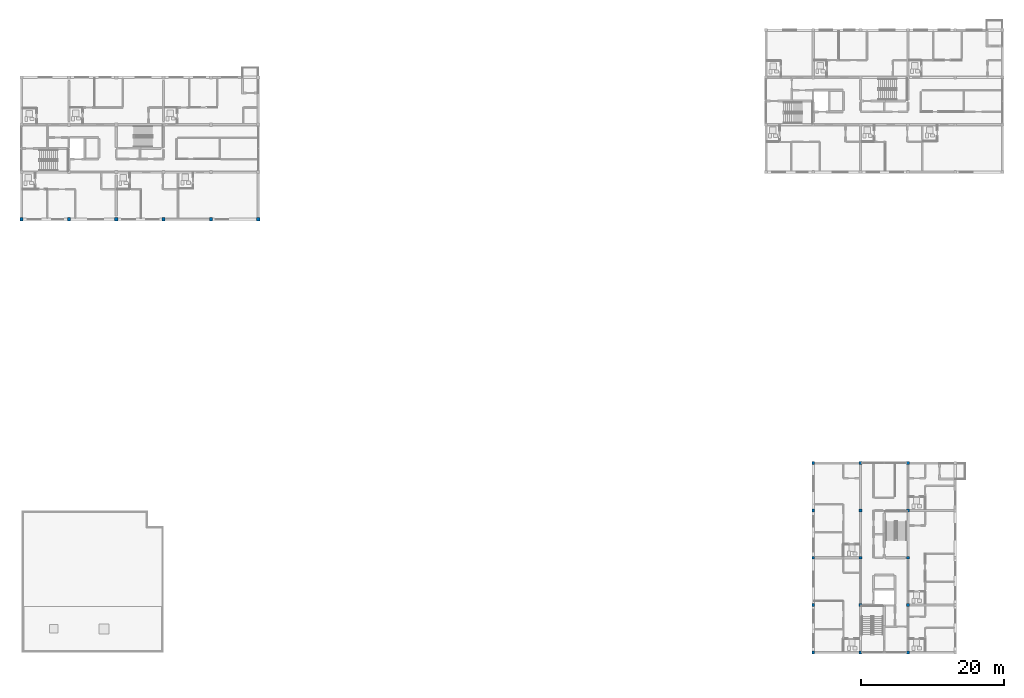
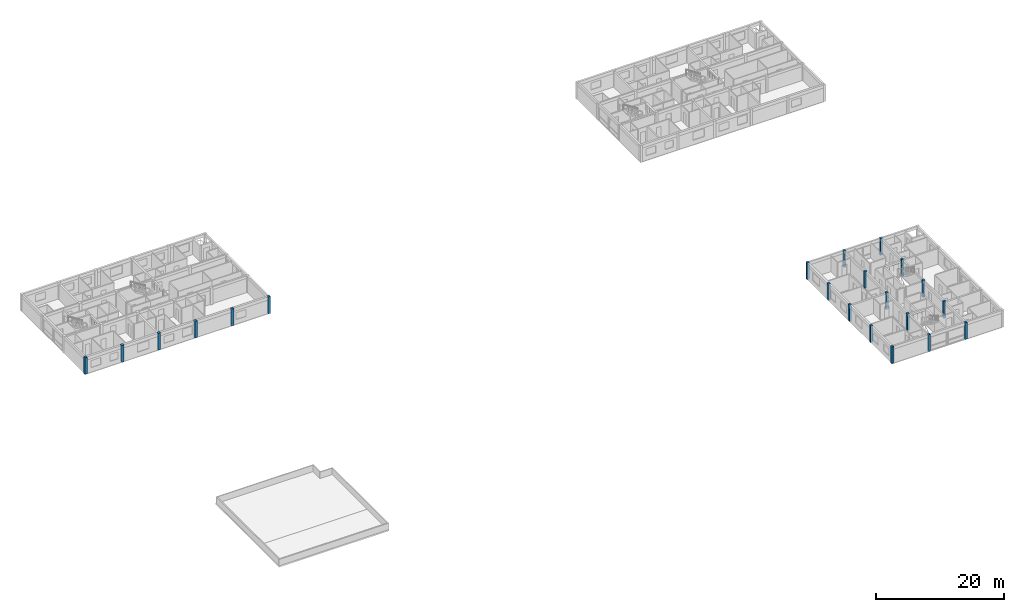
# One storey, part 1 of 34: 21 columns.
"""IFC4 building model written with IfcOpenShell, lengths in metres."""

from ifc_helpers import new_model, si_unit, direction, frame, origin, origin_2d, place, context, subcontext, project, spatial, rectangle, extrude, material, material_profile, profile_set, type_object, element, save


model = new_model("IFC4")

# Units and contexts
model_context = context("Model", 3, precision=1e-05, world=origin(), true_north=direction((0.0, 1.0)))
body_context = subcontext(model_context, "Body", "Model", "MODEL_VIEW")
ifc_project = project(units=[si_unit("LENGTHUNIT", "METRE"), si_unit("AREAUNIT", "SQUARE_METRE"), si_unit("VOLUMEUNIT", "CUBIC_METRE"), si_unit("PLANEANGLEUNIT", "RADIAN"), si_unit("MASSUNIT", "GRAM", prefix="KILO")], contexts=[model_context])

# Site, building, storey
site_placement = place(None, origin())
site = spatial("IfcSite", under=ifc_project, at=site_placement, CompositionType="ELEMENT")
building_placement = place(site_placement, origin())
building = spatial("IfcBuilding", under=site, at=building_placement, Name="Kernevlak Ridge Housing Community", CompositionType="ELEMENT")
storey_placement = place(building_placement, frame((0.0, 0.0, 34.0)))
storey = spatial("IfcBuildingStorey", under=building, at=storey_placement, Name="L10", CompositionType="ELEMENT", Elevation=34.0)

# Columns
ifc_material = material(Name="Concrete C35/45", Category="concrete")
ifc_material_profile_1 = material_profile(ifc_material, rectangle(XDim=0.449951171875, YDim=0.449951171875, at=origin_2d()), Name="RC 450x450")
ifc_profile_set_1 = profile_set([ifc_material_profile_1], Name="Concrete C35/45")
column_type_1 = type_object("IfcColumnType", Name="C-04", PredefinedType="COLUMN", material=ifc_profile_set_1)
for number, where, z_axis, x_axis, name in (
    (1, (15.60009765625, 76.0, 0.0), (0.0, 0.0, 1.0), (1.0, 0.0, 0.0), "Column C-04 COL-A-L10-00-0"),
    (2, (22.199951171875, 76.0, 0.0), (0.0, 0.0, 1.0), (1.0, 0.0, 0.0), "Column C-04 COL-A-L10-01-0"),
    (3, (28.800048828125, 76.0, 0.0), (0.0, 0.0, 1.0), (1.0, 0.0, 0.0), "Column C-04 COL-A-L10-02-0"),
    (4, (35.39990234375, 76.0, 0.0), (0.0, 0.0, 1.0), (1.0, 0.0, 0.0), "Column C-04 COL-A-L10-03-0"),
    (5, (42.0, 76.0, 0.0), (0.0, 0.0, 1.0), (1.0, 0.0, 0.0), "Column C-04 COL-A-L10-04-0"),
    (6, (48.60009765625, 76.0, 0.0), (0.0, 0.0, 1.0), (1.0, 0.0, 0.0), "Column C-04 COL-A-L10-05-0"),
):
    element("IfcColumn", number, at=place(storey_placement, frame(where, z_axis=z_axis, x_axis=x_axis)), inside=storey, type_object=column_type_1, Name=name, PredefinedType="COLUMN", context=body_context, shape_type="SweptSolid", body=[
        extrude(rectangle(XDim=0.449951171875, YDim=0.449951171875, at=origin_2d()), origin(), (0.0, 0.0, 1.0), 3.199951171875),
    ])
ifc_material_profile_2 = material_profile(ifc_material, rectangle(XDim=0.39990234375, YDim=0.39990234375, at=origin_2d()), Name="RC 400x400")
ifc_profile_set_2 = profile_set([ifc_material_profile_2], Name="Concrete C35/45")
column_type_2 = type_object("IfcColumnType", Name="C-05", PredefinedType="COLUMN", material=ifc_profile_set_2)
for number, where, z_axis, x_axis, name in (
    (7, (126.0, 15.60009765625, 0.0), (0.0, 0.0, 1.0), (1.0, 0.0, 0.0), "Column C-05 COL-C-L10-00-0"),
    (8, (132.60009765625, 15.60009765625, 0.0), (0.0, 0.0, 1.0), (1.0, 0.0, 0.0), "Column C-05 COL-C-L10-00-1"),
    (9, (139.199951171875, 15.60009765625, 0.0), (0.0, 0.0, 1.0), (1.0, 0.0, 0.0), "Column C-05 COL-C-L10-00-2"),
    (10, (126.0, 22.199951171875, 0.0), (0.0, 0.0, 1.0), (1.0, 0.0, 0.0), "Column C-05 COL-C-L10-01-0"),
    (11, (132.60009765625, 22.199951171875, 0.0), (0.0, 0.0, 1.0), (1.0, 0.0, 0.0), "Column C-05 COL-C-L10-01-1"),
    (12, (139.199951171875, 22.199951171875, 0.0), (0.0, 0.0, 1.0), (1.0, 0.0, 0.0), "Column C-05 COL-C-L10-01-2"),
    (13, (126.0, 28.800048828125, 0.0), (0.0, 0.0, 1.0), (1.0, 0.0, 0.0), "Column C-05 COL-C-L10-02-0"),
    (14, (132.60009765625, 28.800048828125, 0.0), (0.0, 0.0, 1.0), (1.0, 0.0, 0.0), "Column C-05 COL-C-L10-02-1"),
    (15, (139.199951171875, 28.800048828125, 0.0), (0.0, 0.0, 1.0), (1.0, 0.0, 0.0), "Column C-05 COL-C-L10-02-2"),
    (16, (126.0, 35.39990234375, 0.0), (0.0, 0.0, 1.0), (1.0, 0.0, 0.0), "Column C-05 COL-C-L10-03-0"),
    (17, (132.60009765625, 35.39990234375, 0.0), (0.0, 0.0, 1.0), (1.0, 0.0, 0.0), "Column C-05 COL-C-L10-03-1"),
    (18, (139.199951171875, 35.39990234375, 0.0), (0.0, 0.0, 1.0), (1.0, 0.0, 0.0), "Column C-05 COL-C-L10-03-2"),
    (19, (126.0, 42.0, 0.0), (0.0, 0.0, 1.0), (1.0, 0.0, 0.0), "Column C-05 COL-C-L10-04-0"),
    (20, (132.60009765625, 42.0, 0.0), (0.0, 0.0, 1.0), (1.0, 0.0, 0.0), "Column C-05 COL-C-L10-04-1"),
    (21, (139.199951171875, 42.0, 0.0), (0.0, 0.0, 1.0), (1.0, 0.0, 0.0), "Column C-05 COL-C-L10-04-2"),
):
    element("IfcColumn", number, at=place(storey_placement, frame(where, z_axis=z_axis, x_axis=x_axis)), inside=storey, type_object=column_type_2, Name=name, PredefinedType="COLUMN", context=body_context, shape_type="SweptSolid", body=[
        extrude(rectangle(XDim=0.39990234375, YDim=0.39990234375, at=origin_2d()), origin(), (0.0, 0.0, 1.0), 3.199951171875),
    ])

save(model, "model.ifc")
